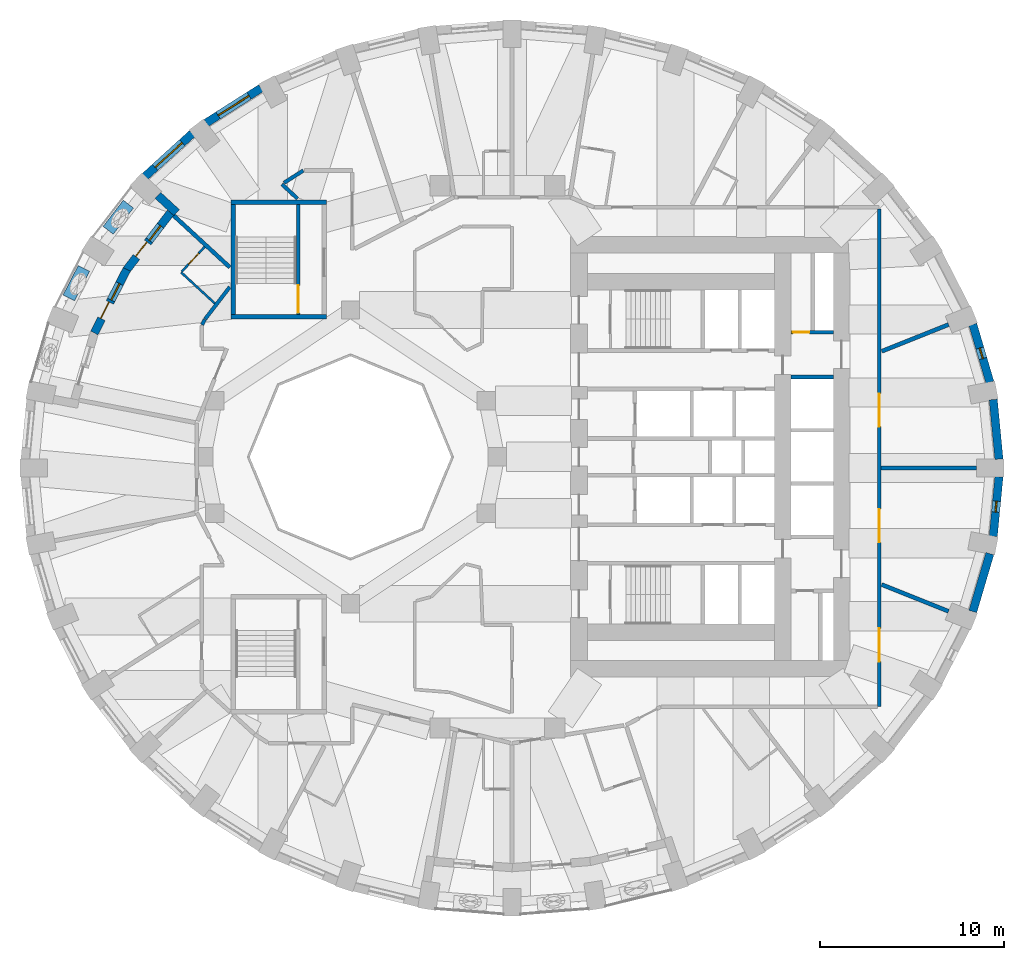
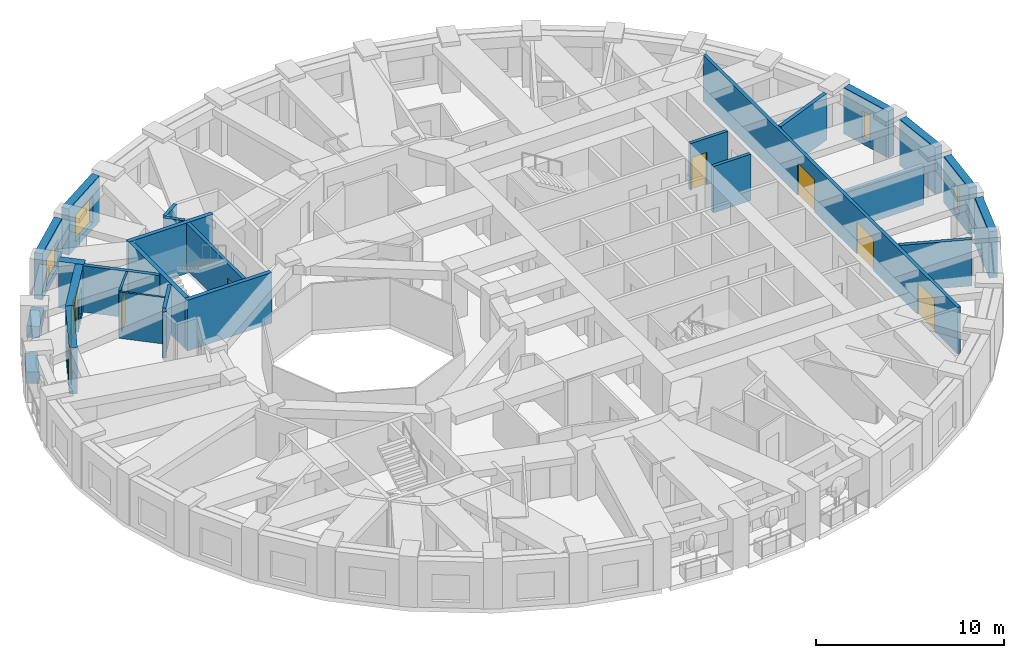
# One storey, part 7 of 13: 28 walls, 8 doors, 6 windows, 14 openings.
"""IFC4 building model written with IfcOpenShell, lengths in metres."""

from ifc_helpers import new_model, si_unit, direction, frame, frame_2d, origin, place, context, subcontext, project, spatial, rectangle, extrude, material, layer, layer_set, constituent, constituent_set, type_object, element, fill, save


model = new_model("IFC4")

# Units and contexts
model_context = context("Model", 3, precision=1e-05, world=origin(), true_north=direction((0.0, 1.0)))
body_context = subcontext(model_context, "Body", "Model", "MODEL_VIEW")
ifc_project = project(units=[si_unit("LENGTHUNIT", "METRE"), si_unit("AREAUNIT", "SQUARE_METRE"), si_unit("VOLUMEUNIT", "CUBIC_METRE"), si_unit("PLANEANGLEUNIT", "RADIAN"), si_unit("MASSUNIT", "GRAM", prefix="KILO")], contexts=[model_context])

# Site, building, storey
site_placement = place(None, origin())
site = spatial("IfcSite", under=ifc_project, at=site_placement, CompositionType="ELEMENT")
building_placement = place(site_placement, origin())
building = spatial("IfcBuilding", under=site, at=building_placement, Name="Taillehof Tower", CompositionType="ELEMENT")
storey_placement = place(building_placement, frame((0.0, 0.0, 112.0)))
storey = spatial("IfcBuildingStorey", under=building, at=storey_placement, Name="L31", CompositionType="ELEMENT", Elevation=112.0)

# Wall
ifc_material_1 = material(Name="Brick masonry", Category="masonry")
ifc_layer_1 = layer(ifc_material_1, 0.449951171875)
ifc_layer_set_1 = layer_set([ifc_layer_1], Name="Brick infill wall 450")
wall_type_1 = type_object("IfcWallType", Name="Brick infill wall 450", PredefinedType="SOLIDWALL", material=ifc_layer_set_1)
wall_1_placement = place(storey_placement, frame((27.32763671875, -0.119873046875, 0.0), z_axis=(0.0, 0.0, 1.0), x_axis=(-0.09589355735, 0.995391594127, 0.0)))
element("IfcWall", 1, at=wall_1_placement, inside=storey, type_object=wall_type_1, Name="Brick wall L31 bay 1", PredefinedType="SOLIDWALL", context=body_context, shape_type="SweptSolid", body=[
    extrude(rectangle(XDim=3.261474609375, YDim=0.449951171875, at=frame_2d((1.630859375, 0.0))), origin(), (0.0, 0.0, 1.0), 3.02001953125),
])

# Wall, opening, window
wall_2_placement = place(storey_placement, frame((26.83203125, 4.069091796875, 0.0), z_axis=(0.0, 0.0, 1.0), x_axis=(-0.283002902729, 0.959119052593, 0.0)))
wall_2 = element("IfcWall", 2, at=wall_2_placement, inside=storey, type_object=wall_type_1, Name="Brick wall L31 bay 2", PredefinedType="SOLIDWALL", context=body_context, shape_type="SweptSolid", body=[
    extrude(rectangle(XDim=3.285888671875, YDim=0.449951171875, at=frame_2d((1.64306640625, 0.0))), origin(), (0.0, 0.0, 1.0), 3.02001953125),
])
opening_1_placement = place(wall_2_placement, frame((1.343017578125, 0.0, 0.39990234375)))
opening_1 = element("IfcOpeningElement", 3, at=opening_1_placement, cuts=wall_2, Name="Opening W6", PredefinedType="OPENING", context=body_context, shape_type="SweptSolid", body=[
    extrude(rectangle(XDim=0.60009765625, YDim=1.75, at=frame_2d((0.300048828125, 0.875))), frame((0.0, 0.23486328125, 0.0), z_axis=(0.0, -1.0, 0.0), x_axis=(1.0, 0.0, 0.0)), (0.0, 0.0, 1.0), 0.469970703125),
])
ifc_material_2 = material(Name="Aluminium window frame with clear double glazing", Category="aluminium")
window_type_1 = type_object("IfcWindowType", Name="Slot window 600x1750", PartitioningType="SINGLE_PANEL", PredefinedType="WINDOW", material=ifc_material_2)
window_1_placement = place(opening_1_placement, origin())
window_1 = element("IfcWindow", 4, at=window_1_placement, inside=storey, type_object=window_type_1, Name="W6", OverallHeight=1.75, OverallWidth=0.60009765625, PartitioningType="SINGLE_PANEL", PredefinedType="WINDOW", context=body_context, shape_type="SweptSolid", body=[
    extrude(rectangle(XDim=0.60009765625, YDim=1.75, at=frame_2d((0.300048828125, 0.875))), frame((0.0, 0.034912109375, 0.0), z_axis=(0.0, -1.0, 0.0), x_axis=(1.0, 0.0, 0.0)), (0.0, 0.0, 1.0), 0.06005859375),
])
fill(opening_1, window_1)

wall_3_placement = place(storey_placement, frame((-12.87548828125, 20.087158203125, 0.0), z_axis=(0.0, 0.0, 1.0), x_axis=(-0.843860651879, -0.536562391722, 0.0)))
wall_3 = element("IfcWall", 5, at=wall_3_placement, inside=storey, type_object=wall_type_1, Name="Brick wall L31 bay 13", PredefinedType="SOLIDWALL", context=body_context, shape_type="SweptSolid", body=[
    extrude(rectangle(XDim=3.5322265625, YDim=0.449951171875, at=frame_2d((1.76611328125, 0.0))), origin(), (0.0, 0.0, 1.0), 3.02001953125),
])
opening_2_placement = place(wall_3_placement, frame((0.76611328125, 0.0, 0.39990234375)))
opening_2 = element("IfcOpeningElement", 6, at=opening_2_placement, cuts=wall_3, Name="Opening W2", PredefinedType="OPENING", context=body_context, shape_type="SweptSolid", body=[
    extrude(rectangle(XDim=2.0, YDim=1.75, at=frame_2d((1.0, 0.875))), frame((0.0, 0.23486328125, 0.0), z_axis=(0.0, -1.0, 0.0), x_axis=(1.0, 0.0, 0.0)), (0.0, 0.0, 1.0), 0.469970703125),
])
ifc_material_3 = material(Name="Aluminium window frame with clear double glazing", Category="aluminium")
window_type_2 = type_object("IfcWindowType", Name="Deep-set window 2000x1750", PartitioningType="SINGLE_PANEL", PredefinedType="WINDOW", material=ifc_material_3)
window_2_placement = place(opening_2_placement, origin())
window_2 = element("IfcWindow", 7, at=window_2_placement, inside=storey, type_object=window_type_2, Name="W2", OverallHeight=1.75, OverallWidth=2.0, PartitioningType="SINGLE_PANEL", PredefinedType="WINDOW", context=body_context, shape_type="SweptSolid", body=[
    extrude(rectangle(XDim=2.0, YDim=1.75, at=frame_2d((1.0, 0.875))), frame((0.0, 0.034912109375, 0.0), z_axis=(0.0, -1.0, 0.0), x_axis=(1.0, 0.0, 0.0)), (0.0, 0.0, 1.0), 0.06005859375),
])
fill(opening_2, window_2)

wall_4_placement = place(storey_placement, frame((-16.61962890625, 17.609619140625, 0.0), z_axis=(0.0, 0.0, 1.0), x_axis=(-0.74032902847, -0.672244694739, 0.0)))
wall_4 = element("IfcWall", 8, at=wall_4_placement, inside=storey, type_object=wall_type_1, Name="Brick wall L31 bay 14", PredefinedType="SOLIDWALL", context=body_context, shape_type="SweptSolid", body=[
    extrude(rectangle(XDim=3.4638671875, YDim=0.449951171875, at=frame_2d((1.73193359375, 0.0))), origin(), (0.0, 0.0, 1.0), 3.02001953125),
])
opening_3_placement = place(wall_4_placement, frame((0.73193359375, 0.0, 0.39990234375)))
opening_3 = element("IfcOpeningElement", 9, at=opening_3_placement, cuts=wall_4, Name="Opening W2", PredefinedType="OPENING", context=body_context, shape_type="SweptSolid", body=[
    extrude(rectangle(XDim=2.0, YDim=1.75, at=frame_2d((1.0, 0.875))), frame((0.0, 0.23486328125, 0.0), z_axis=(0.0, -1.0, 0.0), x_axis=(1.0, 0.0, 0.0)), (0.0, 0.0, 1.0), 0.469970703125),
])
window_3_placement = place(opening_3_placement, origin())
window_3 = element("IfcWindow", 10, at=window_3_placement, inside=storey, type_object=window_type_2, Name="W2", OverallHeight=1.75, OverallWidth=2.0, PartitioningType="SINGLE_PANEL", PredefinedType="WINDOW", context=body_context, shape_type="SweptSolid", body=[
    extrude(rectangle(XDim=2.0, YDim=1.75, at=frame_2d((1.0, 0.875))), frame((0.0, 0.034912109375, 0.0), z_axis=(0.0, -1.0, 0.0), x_axis=(1.0, 0.0, 0.0)), (0.0, 0.0, 1.0), 0.06005859375),
])
fill(opening_3, window_3)

# Wall
wall_5_placement = place(storey_placement, frame((25.902099609375, -8.4208984375, 0.0), z_axis=(0.0, 0.0, 1.0), x_axis=(0.282982737009, 0.95912500257, 0.0)))
element("IfcWall", 11, at=wall_5_placement, inside=storey, type_object=wall_type_1, Name="Brick wall L31 bay 35", PredefinedType="SOLIDWALL", context=body_context, shape_type="SweptSolid", body=[
    extrude(rectangle(XDim=3.2861328125, YDim=0.449951171875, at=frame_2d((1.64306640625, 0.0))), origin(), (0.0, 0.0, 1.0), 3.02001953125),
])

# Wall, opening, window
wall_6_placement = place(storey_placement, frame((27.014892578125, -4.326416015625, 0.0), z_axis=(0.0, 0.0, 1.0), x_axis=(0.09589355735, 0.995391594127, 0.0)))
wall_6 = element("IfcWall", 12, at=wall_6_placement, inside=storey, type_object=wall_type_1, Name="Brick wall L31 bay 36", PredefinedType="SOLIDWALL", context=body_context, shape_type="SweptSolid", body=[
    extrude(rectangle(XDim=3.261474609375, YDim=0.449951171875, at=frame_2d((1.630859375, 0.0))), origin(), (0.0, 0.0, 1.0), 3.02001953125),
])
opening_4_placement = place(wall_6_placement, frame((1.33056640625, 0.0, 0.39990234375)))
opening_4 = element("IfcOpeningElement", 13, at=opening_4_placement, cuts=wall_6, Name="Opening W6", PredefinedType="OPENING", context=body_context, shape_type="SweptSolid", body=[
    extrude(rectangle(XDim=0.60009765625, YDim=1.75, at=frame_2d((0.300048828125, 0.875))), frame((0.0, 0.23486328125, 0.0), z_axis=(0.0, -1.0, 0.0), x_axis=(1.0, 0.0, 0.0)), (0.0, 0.0, 1.0), 0.469970703125),
])
window_4_placement = place(opening_4_placement, origin())
window_4 = element("IfcWindow", 14, at=window_4_placement, inside=storey, type_object=window_type_1, Name="W6", OverallHeight=1.75, OverallWidth=0.60009765625, PartitioningType="SINGLE_PANEL", PredefinedType="WINDOW", context=body_context, shape_type="SweptSolid", body=[
    extrude(rectangle(XDim=0.60009765625, YDim=1.75, at=frame_2d((0.300048828125, 0.875))), frame((0.0, 0.034912109375, 0.0), z_axis=(0.0, -1.0, 0.0), x_axis=(1.0, 0.0, 0.0)), (0.0, 0.0, 1.0), 0.06005859375),
])
fill(opening_4, window_4)

# Wall
wall_7_placement = place(storey_placement, frame((-18.48974609375, 14.2470703125, 0.0), z_axis=(0.0, 0.0, 1.0), x_axis=(0.735307968822, -0.67773312667, 0.0)))
element("IfcWall", 15, at=wall_7_placement, inside=storey, type_object=wall_type_1, Name="Brick reveal L31 pocket 4", PredefinedType="SOLIDWALL", context=body_context, shape_type="SweptSolid", body=[
    extrude(rectangle(XDim=1.390869140625, YDim=0.449951171875, at=frame_2d((0.6953125, 0.0))), origin(), (0.0, 0.0, 1.0), 3.02001953125),
])

# Wall, openings, door, window
wall_8_placement = place(storey_placement, frame((-17.799072265625, 13.304443359375, 0.0), z_axis=(0.0, 0.0, 1.0), x_axis=(-0.609698797728, -0.792633191362, 0.0)))
wall_8 = element("IfcWall", 16, at=wall_8_placement, inside=storey, type_object=wall_type_1, Name="Brick wall L31 pocket bay 15", PredefinedType="SOLIDWALL", context=body_context, shape_type="SweptSolid", body=[
    extrude(rectangle(XDim=3.945068359375, YDim=0.449951171875, at=frame_2d((1.97265625, 0.0))), origin(), (0.0, 0.0, 1.0), 3.02001953125),
])
opening_5_placement = place(wall_8_placement, frame((0.8974609375, 0.0, 0.39990234375)))
opening_5 = element("IfcOpeningElement", 17, at=opening_5_placement, cuts=wall_8, Name="Opening W5", PredefinedType="OPENING", context=body_context, shape_type="SweptSolid", body=[
    extrude(rectangle(XDim=1.0, YDim=1.75, at=frame_2d((0.5, 0.875))), frame((0.0, 0.23486328125, 0.0), z_axis=(0.0, -1.0, 0.0), x_axis=(1.0, 0.0, 0.0)), (0.0, 0.0, 1.0), 0.469970703125),
])
opening_6_placement = place(wall_8_placement, frame((2.04736328125, 0.0, 0.0)))
opening_6 = element("IfcOpeningElement", 18, at=opening_6_placement, cuts=wall_8, Name="Opening D3191", PredefinedType="OPENING", context=body_context, shape_type="SweptSolid", body=[
    extrude(rectangle(XDim=1.0, YDim=2.14990234375, at=frame_2d((0.5, 1.074951171875))), frame((0.0, 0.23486328125, 0.0), z_axis=(0.0, -1.0, 0.0), x_axis=(1.0, 0.0, 0.0)), (0.0, 0.0, 1.0), 0.469970703125),
])
ifc_material_4 = material(Name="Aluminium door frame with clear double glazing", Category="aluminium")
door_type_1 = type_object("IfcDoorType", Name="Balcony door 1000x2150", OperationType="SINGLE_SWING_RIGHT", PredefinedType="DOOR", material=ifc_material_4)
door_1_placement = place(opening_6_placement, frame((1.0, 0.0, 0.0), z_axis=(0.0, 0.0, 1.0), x_axis=(-1.0, 0.0, 0.0)))
door_1 = element("IfcDoor", 19, at=door_1_placement, inside=storey, type_object=door_type_1, Name="Balcony door L31 bay 15", OperationType="SINGLE_SWING_RIGHT", OverallHeight=2.14990234375, OverallWidth=1.0, PredefinedType="DOOR", context=body_context, shape_type="SweptSolid", body=[
    extrude(rectangle(XDim=1.0, YDim=2.14990234375, at=frame_2d((0.5, 1.074951171875))), frame((0.0, 0.0751953125, 0.0), z_axis=(0.0, -1.0, 0.0), x_axis=(1.0, 0.0, 0.0)), (0.0, 0.0, 1.0), 0.050048828125),
])
fill(opening_6, door_1)
ifc_material_5 = material(Name="Aluminium window frame with clear double glazing", Category="aluminium")
window_type_3 = type_object("IfcWindowType", Name="Fixed window 1000x1750", PartitioningType="SINGLE_PANEL", PredefinedType="WINDOW", material=ifc_material_5)
window_5_placement = place(opening_5_placement, origin())
window_5 = element("IfcWindow", 20, at=window_5_placement, inside=storey, type_object=window_type_3, Name="W5", OverallHeight=1.75, OverallWidth=1.0, PartitioningType="SINGLE_PANEL", PredefinedType="WINDOW", context=body_context, shape_type="SweptSolid", body=[
    extrude(rectangle(XDim=1.0, YDim=1.75, at=frame_2d((0.5, 0.875))), frame((0.0, 0.034912109375, 0.0), z_axis=(0.0, -1.0, 0.0), x_axis=(1.0, 0.0, 0.0)), (0.0, 0.0, 1.0), 0.06005859375),
])
fill(opening_5, window_5)

wall_9_placement = place(storey_placement, frame((-20.182373046875, 10.212158203125, 0.0), z_axis=(0.0, 0.0, 1.0), x_axis=(-0.455932890657, -0.890014156751, 0.0)))
wall_9 = element("IfcWall", 21, at=wall_9_placement, inside=storey, type_object=wall_type_1, Name="Brick wall L31 pocket bay 16", PredefinedType="SOLIDWALL", context=body_context, shape_type="SweptSolid", body=[
    extrude(rectangle(XDim=3.88818359375, YDim=0.449951171875, at=frame_2d((1.944091796875, 0.0))), origin(), (0.0, 0.0, 1.0), 3.02001953125),
])
opening_7_placement = place(wall_9_placement, frame((0.868896484375, 0.0, 0.39990234375)))
opening_7 = element("IfcOpeningElement", 22, at=opening_7_placement, cuts=wall_9, Name="Opening W5", PredefinedType="OPENING", context=body_context, shape_type="SweptSolid", body=[
    extrude(rectangle(XDim=1.0, YDim=1.75, at=frame_2d((0.5, 0.875))), frame((0.0, 0.23486328125, 0.0), z_axis=(0.0, -1.0, 0.0), x_axis=(1.0, 0.0, 0.0)), (0.0, 0.0, 1.0), 0.469970703125),
])
opening_8_placement = place(wall_9_placement, frame((2.01904296875, 0.0, 0.0)))
opening_8 = element("IfcOpeningElement", 23, at=opening_8_placement, cuts=wall_9, Name="Opening D3192", PredefinedType="OPENING", context=body_context, shape_type="SweptSolid", body=[
    extrude(rectangle(XDim=1.0, YDim=2.14990234375, at=frame_2d((0.5, 1.074951171875))), frame((0.0, 0.23486328125, 0.0), z_axis=(0.0, -1.0, 0.0), x_axis=(1.0, 0.0, 0.0)), (0.0, 0.0, 1.0), 0.469970703125),
])
door_2_placement = place(opening_8_placement, frame((1.0, 0.0, 0.0), z_axis=(0.0, 0.0, 1.0), x_axis=(-1.0, 0.0, 0.0)))
door_2 = element("IfcDoor", 24, at=door_2_placement, inside=storey, type_object=door_type_1, Name="Balcony door L31 bay 16", OperationType="SINGLE_SWING_LEFT", OverallHeight=2.14990234375, OverallWidth=1.0, PredefinedType="DOOR", context=body_context, shape_type="SweptSolid", body=[
    extrude(rectangle(XDim=1.0, YDim=2.14990234375, at=frame_2d((0.5, 1.074951171875))), frame((0.0, 0.0751953125, 0.0), z_axis=(0.0, -1.0, 0.0), x_axis=(1.0, 0.0, 0.0)), (0.0, 0.0, 1.0), 0.050048828125),
])
fill(opening_8, door_2)
window_6_placement = place(opening_7_placement, origin())
window_6 = element("IfcWindow", 25, at=window_6_placement, inside=storey, type_object=window_type_3, Name="W5", OverallHeight=1.75, OverallWidth=1.0, PartitioningType="SINGLE_PANEL", PredefinedType="WINDOW", context=body_context, shape_type="SweptSolid", body=[
    extrude(rectangle(XDim=1.0, YDim=1.75, at=frame_2d((0.5, 0.875))), frame((0.0, 0.034912109375, 0.0), z_axis=(0.0, -1.0, 0.0), x_axis=(1.0, 0.0, 0.0)), (0.0, 0.0, 1.0), 0.06005859375),
])
fill(opening_7, window_6)

# Wall, opening, door
ifc_material_6 = material(Name="Calcium silicate masonry", Category="masonry")
ifc_layer_2 = layer(ifc_material_6, 0.199951171875)
ifc_layer_set_2 = layer_set([ifc_layer_2], Name="Compartment wall calcium silicate 200")
wall_type_2 = type_object("IfcWallType", Name="Compartment wall calcium silicate 200", PredefinedType="PARTITIONING", material=ifc_layer_set_2)
wall_10_placement = place(storey_placement, frame((16.0, 6.800048828125, 0.0), z_axis=(0.0, 0.0, 1.0), x_axis=(1.0, 0.0, 0.0)))
wall_10 = element("IfcWall", 26, at=wall_10_placement, inside=storey, type_object=wall_type_2, Name="Compartment wall FW", PredefinedType="PARTITIONING", context=body_context, shape_type="SweptSolid", body=[
    extrude(rectangle(XDim=2.300048828125, YDim=0.199951171875, at=frame_2d((1.14990234375, 0.0))), origin(), (0.0, 0.0, 1.0), 3.02001953125),
])
opening_9_placement = place(wall_10_placement, frame((0.10009765625, 0.0, 0.0)))
opening_9 = element("IfcOpeningElement", 27, at=opening_9_placement, cuts=wall_10, Name="Opening D3116", PredefinedType="OPENING", context=body_context, shape_type="SweptSolid", body=[
    extrude(rectangle(XDim=0.89990234375, YDim=2.10009765625, at=frame_2d((0.449951171875, 1.050048828125))), frame((0.0, 0.10986328125, 0.0), z_axis=(0.0, -1.0, 0.0), x_axis=(1.0, 0.0, 0.0)), (0.0, 0.0, 1.0), 0.219970703125),
])
ifc_material_7 = material(Name="Steel-faced fire door", Category="steel")
door_type_2 = type_object("IfcDoorType", Name="Riser and service room door 900x2100", OperationType="SINGLE_SWING_LEFT", PredefinedType="DOOR", material=ifc_material_7)
door_3_placement = place(opening_9_placement, origin())
door_3 = element("IfcDoor", 28, at=door_3_placement, inside=storey, type_object=door_type_2, Name="Door Comms Room", OperationType="SINGLE_SWING_RIGHT", OverallHeight=2.10009765625, OverallWidth=0.89990234375, PredefinedType="DOOR", context=body_context, shape_type="SweptSolid", body=[
    extrude(rectangle(XDim=0.89990234375, YDim=2.10009765625, at=frame_2d((0.449951171875, 1.050048828125))), frame((0.0, 0.02490234375, 0.0), z_axis=(0.0, -1.0, 0.0), x_axis=(1.0, 0.0, 0.0)), (0.0, 0.0, 1.0), 0.050048828125),
])
fill(opening_9, door_3)

# Walls
ifc_material_8 = material(Name="Gypsum board on steel studs, two layers each side", Category="steel")
ifc_layer_3 = layer(ifc_material_8, 0.199951171875)
ifc_layer_set_3 = layer_set([ifc_layer_3], Name="Compartment wall corridor 200")
wall_type_3 = type_object("IfcWallType", Name="Compartment wall corridor 200", PredefinedType="PARTITIONING", material=ifc_layer_set_3)
wall_11_placement = place(storey_placement, frame((-16.08203125, 7.195556640625, 0.0), z_axis=(0.0, 0.0, 1.0), x_axis=(0.456789128428, 0.889575006478, 0.0)))
element("IfcWall", 29, at=wall_11_placement, inside=storey, type_object=wall_type_3, Name="Compartment wall", PredefinedType="PARTITIONING", context=body_context, shape_type="SweptSolid", body=[
    extrude(rectangle(XDim=0.335693359375, YDim=0.199951171875, at=frame_2d((0.16796875, 0.0))), origin(), (0.0, 0.0, 1.0), 3.02001953125),
])
wall_12_placement = place(storey_placement, frame((-15.91650390625, 7.510009765625, 0.0), z_axis=(0.0, 0.0, 1.0), x_axis=(0.609673267649, 0.792652828617, 0.0)))
element("IfcWall", 30, at=wall_12_placement, inside=storey, type_object=wall_type_3, Name="Compartment wall", PredefinedType="PARTITIONING", context=body_context, shape_type="SweptSolid", body=[
    extrude(rectangle(XDim=2.202880859375, YDim=0.199951171875, at=frame_2d((1.1015625, 0.0))), origin(), (0.0, 0.0, 1.0), 3.02001953125),
])
wall_13_placement = place(storey_placement, frame((-10.88330078125, 14.070068359375, 0.0), z_axis=(0.0, 0.0, 1.0), x_axis=(-0.735263405477, 0.677781472575, 0.0)))
element("IfcWall", 31, at=wall_13_placement, inside=storey, type_object=wall_type_3, Name="Compartment wall", PredefinedType="PARTITIONING", context=body_context, shape_type="SweptSolid", body=[
    extrude(rectangle(XDim=1.159423828125, YDim=0.199951171875, at=frame_2d((0.57958984375, 0.0))), origin(), (0.0, 0.0, 1.0), 3.02001953125),
])
wall_14_placement = place(storey_placement, frame((-11.617919921875, 14.93115234375, 0.0), z_axis=(0.0, 0.0, 1.0), x_axis=(0.84322497481, 0.537560826193, 0.0)))
element("IfcWall", 32, at=wall_14_placement, inside=storey, type_object=wall_type_3, Name="Compartment wall", PredefinedType="PARTITIONING", context=body_context, shape_type="SweptSolid", body=[
    extrude(rectangle(XDim=1.244384765625, YDim=0.199951171875, at=frame_2d((0.6220703125, 0.0))), origin(), (0.0, 0.0, 1.0), 3.02001953125),
])

# Wall, openings, doors
wall_15_placement = place(storey_placement, frame((20.800048828125, 13.5, 0.0), z_axis=(0.0, 0.0, 1.0), x_axis=(0.0, -1.0, 0.0)))
wall_15 = element("IfcWall", 33, at=wall_15_placement, inside=storey, type_object=wall_type_3, Name="Compartment wall", PredefinedType="PARTITIONING", context=body_context, shape_type="SweptSolid", body=[
    extrude(rectangle(XDim=27.10009765625, YDim=0.199951171875, at=frame_2d((13.550048828125, 0.0))), origin(), (0.0, 0.0, 1.0), 3.02001953125),
])
opening_10_placement = place(wall_15_placement, frame((22.84375, 0.0, 0.0)))
opening_10 = element("IfcOpeningElement", 34, at=opening_10_placement, cuts=wall_15, Name="Opening D3164", PredefinedType="OPENING", context=body_context, shape_type="SweptSolid", body=[
    extrude(rectangle(XDim=1.800048828125, YDim=2.10009765625, at=frame_2d((0.89990234375, 1.050048828125))), frame((0.0, 0.10986328125, 0.0), z_axis=(0.0, -1.0, 0.0), x_axis=(1.0, 0.0, 0.0)), (0.0, 0.0, 1.0), 0.219970703125),
])
opening_11_placement = place(wall_15_placement, frame((16.349609375, 0.0, 0.0)))
opening_11 = element("IfcOpeningElement", 35, at=opening_11_placement, cuts=wall_15, Name="Opening D3165", PredefinedType="OPENING", context=body_context, shape_type="SweptSolid", body=[
    extrude(rectangle(XDim=1.800048828125, YDim=2.10009765625, at=frame_2d((0.89990234375, 1.050048828125))), frame((0.0, 0.10986328125, 0.0), z_axis=(0.0, -1.0, 0.0), x_axis=(1.0, 0.0, 0.0)), (0.0, 0.0, 1.0), 0.219970703125),
])
opening_12_placement = place(wall_15_placement, frame((10.050537109375, 0.0, 0.0)))
opening_12 = element("IfcOpeningElement", 36, at=opening_12_placement, cuts=wall_15, Name="Opening D3166", PredefinedType="OPENING", context=body_context, shape_type="SweptSolid", body=[
    extrude(rectangle(XDim=1.800048828125, YDim=2.10009765625, at=frame_2d((0.89990234375, 1.050048828125))), frame((0.0, 0.10986328125, 0.0), z_axis=(0.0, -1.0, 0.0), x_axis=(1.0, 0.0, 0.0)), (0.0, 0.0, 1.0), 0.219970703125),
])
ifc_material_9 = material(Name="Timber door leaf in steel frame", Category="steel")
door_type_3 = type_object("IfcDoorType", Name="Lounge and meeting room double door EI 30 1800 x 2100", OperationType="SINGLE_SWING_LEFT", PredefinedType="DOOR", material=ifc_material_9)
door_4_placement = place(opening_10_placement, origin())
door_4 = element("IfcDoor", 37, at=door_4_placement, inside=storey, type_object=door_type_3, Name="D3164", OperationType="DOUBLE_DOOR_SINGLE_SWING", OverallHeight=2.10009765625, OverallWidth=1.800048828125, PredefinedType="DOOR", context=body_context, shape_type="SweptSolid", body=[
    extrude(rectangle(XDim=1.800048828125, YDim=2.10009765625, at=frame_2d((0.89990234375, 1.050048828125))), frame((0.0, 0.02490234375, 0.0), z_axis=(0.0, -1.0, 0.0), x_axis=(1.0, 0.0, 0.0)), (0.0, 0.0, 1.0), 0.050048828125),
])
fill(opening_10, door_4)
door_5_placement = place(opening_11_placement, origin())
door_5 = element("IfcDoor", 38, at=door_5_placement, inside=storey, type_object=door_type_3, Name="D3165", OperationType="DOUBLE_DOOR_SINGLE_SWING", OverallHeight=2.10009765625, OverallWidth=1.800048828125, PredefinedType="DOOR", context=body_context, shape_type="SweptSolid", body=[
    extrude(rectangle(XDim=1.800048828125, YDim=2.10009765625, at=frame_2d((0.89990234375, 1.050048828125))), frame((0.0, 0.02490234375, 0.0), z_axis=(0.0, -1.0, 0.0), x_axis=(1.0, 0.0, 0.0)), (0.0, 0.0, 1.0), 0.050048828125),
])
fill(opening_11, door_5)
door_6_placement = place(opening_12_placement, origin())
door_6 = element("IfcDoor", 39, at=door_6_placement, inside=storey, type_object=door_type_3, Name="D3166", OperationType="DOUBLE_DOOR_SINGLE_SWING", OverallHeight=2.10009765625, OverallWidth=1.800048828125, PredefinedType="DOOR", context=body_context, shape_type="SweptSolid", body=[
    extrude(rectangle(XDim=1.800048828125, YDim=2.10009765625, at=frame_2d((0.89990234375, 1.050048828125))), frame((0.0, 0.02490234375, 0.0), z_axis=(0.0, -1.0, 0.0), x_axis=(1.0, 0.0, 0.0)), (0.0, 0.0, 1.0), 0.050048828125),
])
fill(opening_12, door_6)

# Walls
ifc_material_10 = material(Name="Gypsum board on double steel studs with mineral wool", Category="steel")
ifc_layer_4 = layer(ifc_material_10, 0.219970703125)
ifc_layer_set_4 = layer_set([ifc_layer_4], Name="Compartment wall guest room 220")
wall_type_4 = type_object("IfcWallType", Name="Compartment wall guest room 220", PredefinedType="PARTITIONING", material=ifc_layer_set_4)
wall_16_placement = place(storey_placement, frame((26.10009765625, -0.60009765625, 0.0), z_axis=(0.0, 0.0, 1.0), x_axis=(-1.0, 0.0, 0.0)))
element("IfcWall", 40, at=wall_16_placement, inside=storey, type_object=wall_type_4, Name="Compartment wall", PredefinedType="PARTITIONING", context=body_context, shape_type="SweptSolid", body=[
    extrude(rectangle(XDim=5.199951171875, YDim=0.219970703125, at=frame_2d((2.60009765625, 0.0))), origin(), (0.0, 0.0, 1.0), 2.570068359375),
])
wall_17_placement = place(storey_placement, frame((24.58251953125, 7.21044921875, 0.0), z_axis=(0.0, 0.0, 1.0), x_axis=(-0.928528147853, -0.371262008083, 0.0)))
element("IfcWall", 41, at=wall_17_placement, inside=storey, type_object=wall_type_4, Name="Compartment wall", PredefinedType="PARTITIONING", context=body_context, shape_type="SweptSolid", body=[
    extrude(rectangle(XDim=3.92578125, YDim=0.219970703125, at=frame_2d((1.962890625, 0.0))), origin(), (0.0, 0.0, 1.0), 3.02001953125),
])
wall_18_placement = place(storey_placement, frame((-17.633056640625, 13.1513671875, 0.0), z_axis=(0.0, 0.0, 1.0), x_axis=(0.73535370522, -0.677683501511, 0.0)))
element("IfcWall", 42, at=wall_18_placement, inside=storey, type_object=wall_type_4, Name="Compartment wall", PredefinedType="PARTITIONING", context=body_context, shape_type="SweptSolid", body=[
    extrude(rectangle(XDim=4.165771484375, YDim=0.219970703125, at=frame_2d((2.0830078125, 0.0))), origin(), (0.0, 0.0, 1.0), 3.02001953125),
])
wall_19_placement = place(storey_placement, frame((24.58251953125, -8.410400390625, 0.0), z_axis=(0.0, 0.0, 1.0), x_axis=(-0.928528147853, 0.371262008083, 0.0)))
element("IfcWall", 43, at=wall_19_placement, inside=storey, type_object=wall_type_4, Name="Compartment wall", PredefinedType="PARTITIONING", context=body_context, shape_type="SweptSolid", body=[
    extrude(rectangle(XDim=3.92578125, YDim=0.219970703125, at=frame_2d((1.962890625, 0.0))), origin(), (0.0, 0.0, 1.0), 3.02001953125),
])
ifc_material_11 = material(Name="Gypsum board on steel studs, moisture resistant", Category="steel")
ifc_layer_5 = layer(ifc_material_11, 0.1201171875)
ifc_layer_set_5 = layer_set([ifc_layer_5], Name="En-suite wall 120")
wall_type_5 = type_object("IfcWallType", Name="En-suite wall 120", PredefinedType="PARTITIONING", material=ifc_layer_set_5)
wall_20_placement = place(storey_placement, frame((-15.387451171875, 8.36181640625, 0.0), z_axis=(0.0, 0.0, 1.0), x_axis=(-0.735313004993, 0.677727662626, 0.0)))
element("IfcWall", 44, at=wall_20_placement, inside=storey, type_object=wall_type_5, Name="En-suite wall", PredefinedType="PARTITIONING", context=body_context, shape_type="SweptSolid", body=[
    extrude(rectangle(XDim=2.4970703125, YDim=0.1201171875, at=frame_2d((1.24853515625, 0.0))), origin(), (0.0, 0.0, 1.0), 3.02001953125),
])

# Wall, opening, door
wall_21_placement = place(storey_placement, frame((-17.182861328125, 10.098388671875, 0.0), z_axis=(0.0, 0.0, 1.0), x_axis=(0.677631502542, 0.735401622763, 0.0)))
wall_21 = element("IfcWall", 45, at=wall_21_placement, inside=storey, type_object=wall_type_5, Name="En-suite wall", PredefinedType="PARTITIONING", context=body_context, shape_type="SweptSolid", body=[
    extrude(rectangle(XDim=1.829833984375, YDim=0.1201171875, at=frame_2d((0.9150390625, 0.0))), origin(), (0.0, 0.0, 1.0), 3.02001953125),
])
opening_13_placement = place(wall_21_placement, frame((0.539794921875, 0.0, 0.0)))
opening_13 = element("IfcOpeningElement", 46, at=opening_13_placement, cuts=wall_21, Name="Opening D3150", PredefinedType="OPENING", context=body_context, shape_type="SweptSolid", body=[
    extrude(rectangle(XDim=0.800048828125, YDim=2.10009765625, at=frame_2d((0.39990234375, 1.050048828125))), frame((0.0, 0.070068359375, 0.0), z_axis=(0.0, -1.0, 0.0), x_axis=(1.0, 0.0, 0.0)), (0.0, 0.0, 1.0), 0.14013671875),
])
ifc_material_12 = material(Name="Timber door leaf in steel frame", Category="steel")
door_type_4 = type_object("IfcDoorType", Name="En-suite door 800 x 2100", OperationType="SINGLE_SWING_LEFT", PredefinedType="DOOR", material=ifc_material_12)
door_7_placement = place(opening_13_placement, origin())
door_7 = element("IfcDoor", 47, at=door_7_placement, inside=storey, type_object=door_type_4, Name="D3150", OperationType="SINGLE_SWING_LEFT", OverallHeight=2.10009765625, OverallWidth=0.800048828125, PredefinedType="DOOR", context=body_context, shape_type="SweptSolid", body=[
    extrude(rectangle(XDim=0.800048828125, YDim=2.10009765625, at=frame_2d((0.39990234375, 1.050048828125))), frame((0.0, 0.02490234375, 0.0), z_axis=(0.0, -1.0, 0.0), x_axis=(1.0, 0.0, 0.0)), (0.0, 0.0, 1.0), 0.050048828125),
])
fill(opening_13, door_7)

# Walls
ifc_material_13 = material(Name="Concrete C30/37 precast", Category="concrete")
ifc_constituent_1 = constituent(ifc_material_13, Name="Structure", Category="concrete")
ifc_material_14 = material(Name="Insulated lining")
ifc_constituent_2 = constituent(ifc_material_14, Name="Lining")
ifc_constituent_set = constituent_set(constituents=[ifc_constituent_1, ifc_constituent_2], Name="Planter trough 700x750")
wall_type_6 = type_object("IfcWallType", Name="Planter trough 700x750", PredefinedType="USERDEFINED", material=ifc_constituent_set)
wall_22_placement = place(storey_placement, frame((-20.096435546875, 13.769775390625, 0.0), z_axis=(0.0, 0.0, 1.0), x_axis=(-0.610752434717, -0.791821610899, 0.0)))
element("IfcWall", 48, at=wall_22_placement, inside=storey, type_object=wall_type_6, Name="Planter L31 bay 15", ObjectType="PLANTER", PredefinedType="USERDEFINED", context=body_context, shape_type="SweptSolid", body=[
    extrude(rectangle(XDim=1.800048828125, YDim=0.699951171875, at=frame_2d((0.89990234375, 0.0))), origin(), (0.0, 0.0, 1.0), 0.75),
])
wall_23_placement = place(storey_placement, frame((-22.51953125, 10.2646484375, 0.0), z_axis=(0.0, 0.0, 1.0), x_axis=(-0.456845298981, -0.88954616114, 0.0)))
element("IfcWall", 49, at=wall_23_placement, inside=storey, type_object=wall_type_6, Name="Planter L31 bay 16", ObjectType="PLANTER", PredefinedType="USERDEFINED", context=body_context, shape_type="SweptSolid", body=[
    extrude(rectangle(XDim=1.7998046875, YDim=0.699951171875, at=frame_2d((0.89990234375, 0.0))), origin(), (0.0, 0.0, 1.0), 0.75),
])

# Wall, opening, door
ifc_material_15 = material(Name="Concrete C50/60", Category="concrete")
ifc_layer_6 = layer(ifc_material_15, 0.199951171875)
ifc_layer_set_6 = layer_set([ifc_layer_6], Name="Shaft wall C50/60 200")
wall_type_7 = type_object("IfcWallType", Name="Shaft wall C50/60 200", PredefinedType="SHEAR", material=ifc_layer_set_6)
wall_24_placement = place(storey_placement, frame((-10.85009765625, 7.75, 0.0), z_axis=(0.0, 0.0, 1.0), x_axis=(0.0, 1.0, 0.0)))
wall_24 = element("IfcWall", 50, at=wall_24_placement, inside=storey, type_object=wall_type_7, Name="Shaft wall SW", PredefinedType="SHEAR", context=body_context, shape_type="SweptSolid", body=[
    extrude(rectangle(XDim=6.0, YDim=0.199951171875, at=frame_2d((3.0, 0.0))), origin(), (0.0, 0.0, 1.0), 3.02001953125),
])
opening_14_placement = place(wall_24_placement, frame((0.10009765625, 0.0, 0.0)))
opening_14 = element("IfcOpeningElement", 51, at=opening_14_placement, cuts=wall_24, Name="Opening D3112", PredefinedType="OPENING", context=body_context, shape_type="SweptSolid", body=[
    extrude(rectangle(XDim=1.5, YDim=2.10009765625, at=frame_2d((0.75, 1.050048828125))), frame((0.0, 0.10986328125, 0.0), z_axis=(0.0, -1.0, 0.0), x_axis=(1.0, 0.0, 0.0)), (0.0, 0.0, 1.0), 0.219970703125),
])
ifc_material_16 = material(Name="Steel-faced fire door", Category="steel")
door_type_5 = type_object("IfcDoorType", Name="Stair door 1500x2100", OperationType="DOUBLE_DOOR_SINGLE_SWING", PredefinedType="DOOR", material=ifc_material_16)
door_8_placement = place(opening_14_placement, origin())
door_8 = element("IfcDoor", 52, at=door_8_placement, inside=storey, type_object=door_type_5, Name="Stair lobby door S3", OperationType="DOUBLE_DOOR_SINGLE_SWING", OverallHeight=2.10009765625, OverallWidth=1.5, PredefinedType="DOOR", context=body_context, shape_type="SweptSolid", body=[
    extrude(rectangle(XDim=1.5, YDim=2.10009765625, at=frame_2d((0.75, 1.050048828125))), frame((0.0, 0.02490234375, 0.0), z_axis=(0.0, -1.0, 0.0), x_axis=(1.0, 0.0, 0.0)), (0.0, 0.0, 1.0), 0.050048828125),
])
fill(opening_14, door_8)

# Walls
wall_25_placement = place(storey_placement, frame((16.0, 4.35009765625, 0.0), z_axis=(0.0, 0.0, 1.0), x_axis=(1.0, 0.0, 0.0)))
element("IfcWall", 53, at=wall_25_placement, inside=storey, type_object=wall_type_7, Name="Shaft wall SW", PredefinedType="SHEAR", context=body_context, shape_type="SweptSolid", body=[
    extrude(rectangle(XDim=2.300048828125, YDim=0.199951171875, at=frame_2d((1.14990234375, 0.0))), origin(), (0.0, 0.0, 1.0), 3.02001953125),
])
ifc_material_17 = material(Name="Concrete C50/60", Category="concrete")
ifc_layer_7 = layer(ifc_material_17, 0.25)
ifc_layer_set_7 = layer_set([ifc_layer_7], Name="Stair wall C50/60 250")
wall_type_8 = type_object("IfcWallType", Name="Stair wall C50/60 250", PredefinedType="SHEAR", material=ifc_layer_set_7)
wall_26_placement = place(storey_placement, frame((-14.375, 7.75, -0.280029296875), z_axis=(0.0, 0.0, 1.0), x_axis=(0.0, 1.0, 0.0)))
element("IfcWall", 54, at=wall_26_placement, inside=storey, type_object=wall_type_8, Name="Stair wall SC", PredefinedType="SHEAR", context=body_context, shape_type="SweptSolid", body=[
    extrude(rectangle(XDim=6.0, YDim=0.25, at=frame_2d((3.0, 0.0))), origin(), (0.0, 0.0, 1.0), 3.300048828125),
])
for number, where, z_axis, x_axis, name in (
    (55, (-14.5, 13.875, -0.280029296875), (0.0, 0.0, 1.0), (1.0, 0.0, 0.0), "Stair wall SC"),
    (56, (-14.5, 7.625, -0.280029296875), (0.0, 0.0, 1.0), (1.0, 0.0, 0.0), "Stair wall SC"),
):
    element("IfcWall", number, at=place(storey_placement, frame(where, z_axis=z_axis, x_axis=x_axis)), inside=storey, type_object=wall_type_8, Name=name, PredefinedType="SHEAR", context=body_context, shape_type="SweptSolid", body=[
        extrude(rectangle(XDim=5.199951171875, YDim=0.25, at=frame_2d((2.60009765625, 0.0))), origin(), (0.0, 0.0, 1.0), 3.300048828125),
    ])

save(model, "model.ifc")
